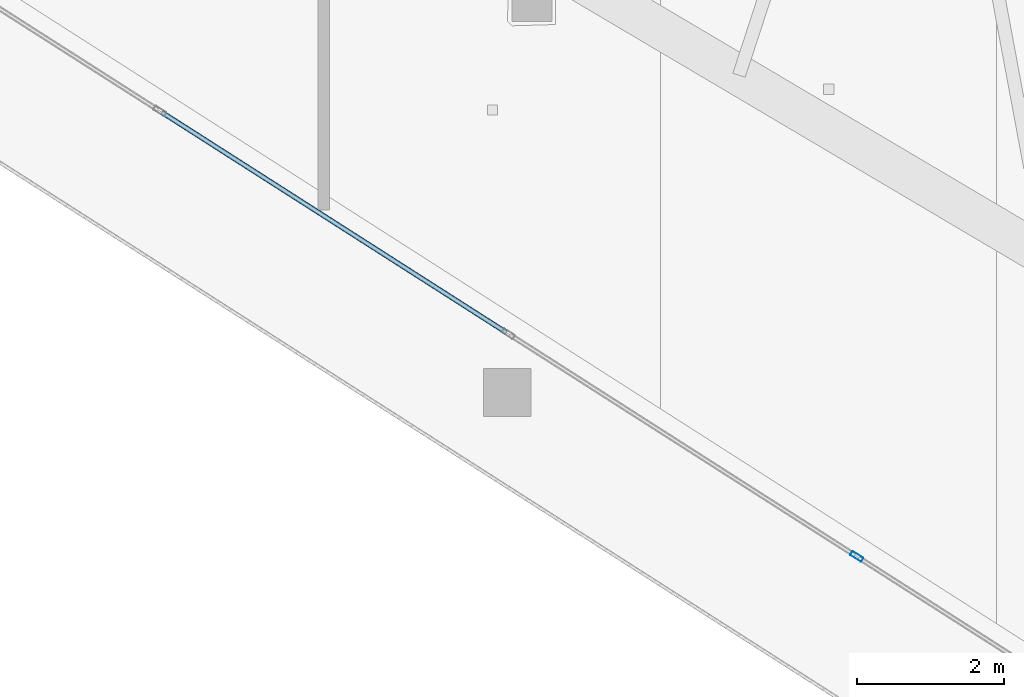
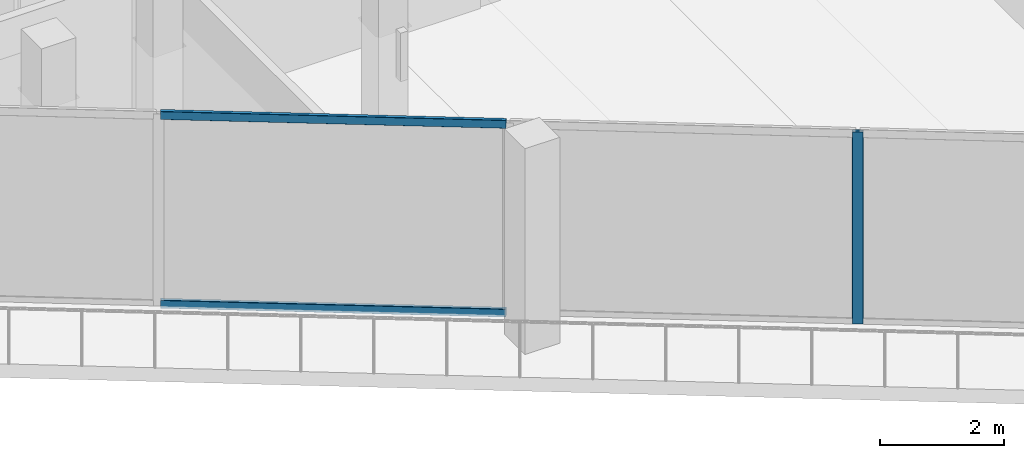
# One storey, part 2 of 37: 3 members, 1 element without a shape of its own.
"""IFC4 building model written with IfcOpenShell, lengths in metres."""

from ifc_helpers import new_model, si_unit, direction, frame, origin, origin_2d, place, context, subcontext, project, spatial, hollow_rectangle, extrude, material, layer, layer_set, material_profile, profile_set, type_object, element, aggregate, save


model = new_model("IFC4")

# Units and contexts
model_context = context("Model", 3, precision=1e-05, world=origin(), true_north=direction((0.0, 1.0)))
body_context = subcontext(model_context, "Body", "Model", "MODEL_VIEW")
ifc_project = project(units=[si_unit("LENGTHUNIT", "METRE"), si_unit("AREAUNIT", "SQUARE_METRE"), si_unit("VOLUMEUNIT", "CUBIC_METRE"), si_unit("PLANEANGLEUNIT", "RADIAN"), si_unit("MASSUNIT", "GRAM", prefix="KILO")], contexts=[model_context])

# Site, building, storey
site_placement = place(None, origin())
site = spatial("IfcSite", under=ifc_project, at=site_placement, CompositionType="ELEMENT")
building_placement = place(site_placement, origin())
building = spatial("IfcBuilding", under=site, at=building_placement, Name="Qorvath Tower", CompositionType="ELEMENT")
storey_placement = place(building_placement, frame((0.0, 0.0, 196.949951171875)))
storey = spatial("IfcBuildingStorey", under=building, at=storey_placement, Name="L45", CompositionType="ELEMENT", Elevation=196.949951171875)

# Curtain wall, members
ifc_material_1 = material(Name="Anodised aluminium and triple low-E glass", Category="aluminium")
ifc_layer = layer(ifc_material_1, 0.179931640625)
ifc_layer_set = layer_set([ifc_layer], Name="CW-SYS-3")
curtain_wall_type = type_object("IfcCurtainWallType", Name="CW-SYS-3", PredefinedType="NOTDEFINED", material=ifc_layer_set)
curtain_wall_placement = place(storey_placement, origin())
curtain_wall = element("IfcCurtainWall", 1, at=curtain_wall_placement, inside=storey, type_object=curtain_wall_type, Name="Curtain Wall CW-3 CW-T-L45-2.1", PredefinedType="NOTDEFINED")
ifc_material_2 = material(Name="Anodised aluminium 6063-T6", Category="aluminium")
ifc_material_profile_1 = material_profile(ifc_material_2, hollow_rectangle(XDim=0.06494140625, YDim=0.179931640625, WallThickness=0.00341796875, InnerFilletRadius=0.00341796875, OuterFilletRadius=0.007080078125, at=origin_2d()), Name="CWM 180x65")
ifc_profile_set_1 = profile_set([ifc_material_profile_1], Name="Anodised aluminium 6063-T6")
member_type_1 = type_object("IfcMemberType", Name="CWM-180", PredefinedType="MULLION", material=ifc_profile_set_1)
member_1_placement = place(storey_placement, frame((-26.247802734375, -21.696044921875, 0.0), z_axis=(0.0, 0.0, 1.0), x_axis=(0.538533623725, 0.842604020948, 0.0)))
member_1 = element("IfcMember", 2, at=member_1_placement, type_object=member_type_1, Name="CW-3 mullion 7", PredefinedType="MULLION", context=body_context, shape_type="SweptSolid", body=[
    extrude(hollow_rectangle(XDim=0.06494140625, YDim=0.179931640625, WallThickness=0.00341796875, InnerFilletRadius=0.00341796875, OuterFilletRadius=0.007080078125, at=origin_2d()), origin(), (0.0, 0.0, 1.0), 3.780029296875),
])
ifc_material_3 = material(Name="Anodised aluminium 6063-T6", Category="aluminium")
ifc_material_profile_2 = material_profile(ifc_material_3, hollow_rectangle(XDim=0.06494140625, YDim=0.159912109375, WallThickness=0.00341796875, InnerFilletRadius=0.00341796875, OuterFilletRadius=0.007080078125, at=origin_2d()), Name="CWT 160x65")
ifc_profile_set_2 = profile_set([ifc_material_profile_2], Name="Anodised aluminium 6063-T6")
member_type_2 = type_object("IfcMemberType", Name="CWT-160", PredefinedType="USERDEFINED", material=ifc_profile_set_2)
member_2_placement = place(storey_placement, frame((-35.725341796875, -15.638671875, 0.032470703125), z_axis=(0.842606844645, -0.538529205667, 0.0), x_axis=(0.538529205667, 0.842606844645, 0.0)))
member_2 = element("IfcMember", 3, at=member_2_placement, type_object=member_type_2, Name="CW-3 transom 5.1", ObjectType="TRANSOM", PredefinedType="USERDEFINED", context=body_context, shape_type="SweptSolid", body=[
    extrude(hollow_rectangle(XDim=0.06494140625, YDim=0.159912109375, WallThickness=0.00341796875, InnerFilletRadius=0.00341796875, OuterFilletRadius=0.007080078125, at=origin_2d()), origin(), (0.0, 0.0, 1.0), 5.5751953125),
])
member_3_placement = place(storey_placement, frame((-35.725341796875, -15.638671875, 3.74755859375), z_axis=(0.842606844645, -0.538529205667, 0.0), x_axis=(0.538529205667, 0.842606844645, 0.0)))
member_3 = element("IfcMember", 4, at=member_3_placement, type_object=member_type_2, Name="CW-3 transom 5.2", ObjectType="TRANSOM", PredefinedType="USERDEFINED", context=body_context, shape_type="SweptSolid", body=[
    extrude(hollow_rectangle(XDim=0.06494140625, YDim=0.159912109375, WallThickness=0.00341796875, InnerFilletRadius=0.00341796875, OuterFilletRadius=0.007080078125, at=origin_2d()), origin(), (0.0, 0.0, 1.0), 5.5751953125),
])
aggregate(curtain_wall, [member_1, member_2, member_3])

save(model, "model.ifc")
